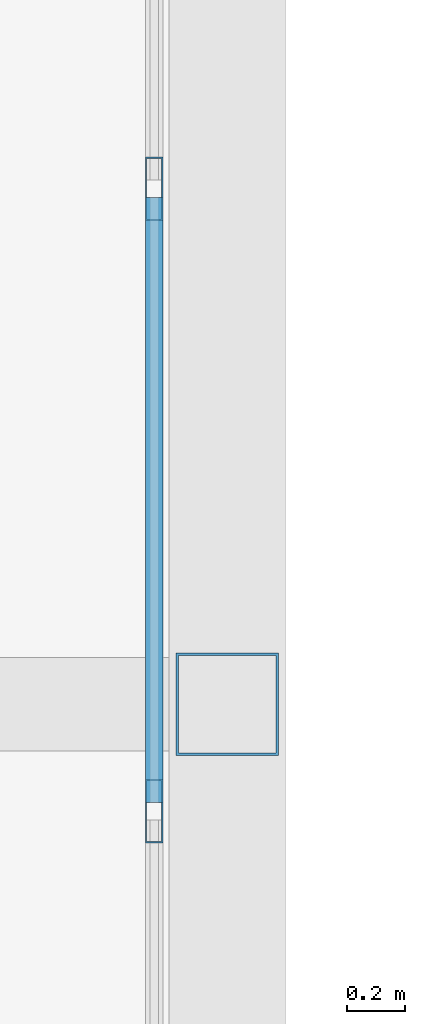
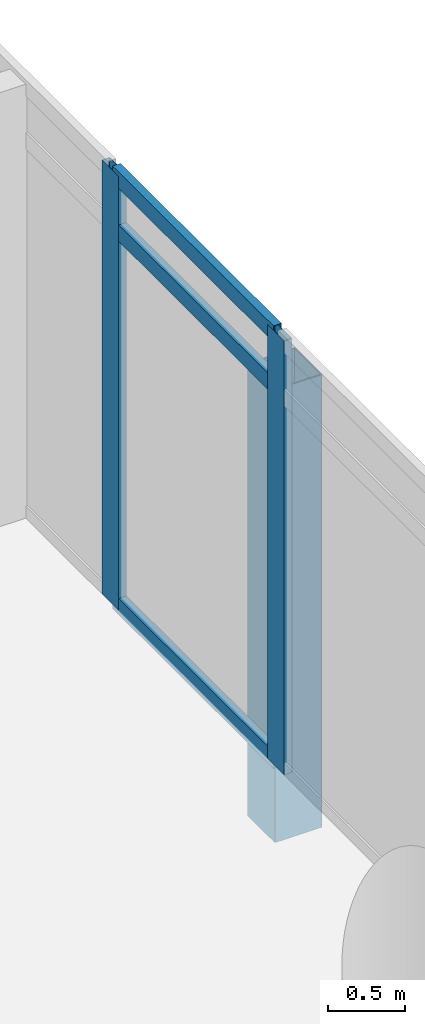
# One storey, part 21 of 34: 6 members, 1 element without a shape of its own.
"""IFC4 building model written with IfcOpenShell, lengths in metres."""

from ifc_helpers import new_model, si_unit, direction, frame, origin, origin_2d, place, context, subcontext, project, spatial, hollow_rectangle, extrude, material, material_profile, profile_set, type_object, element, aggregate, save


model = new_model("IFC4")

# Units and contexts
model_context = context("Model", 3, precision=1e-05, world=origin(), true_north=direction((0.0, 1.0)))
body_context = subcontext(model_context, "Body", "Model", "MODEL_VIEW")
ifc_project = project(units=[si_unit("LENGTHUNIT", "METRE"), si_unit("AREAUNIT", "SQUARE_METRE"), si_unit("VOLUMEUNIT", "CUBIC_METRE"), si_unit("PLANEANGLEUNIT", "RADIAN"), si_unit("MASSUNIT", "GRAM", prefix="KILO")], contexts=[model_context])

# Site, building, storey
site_placement = place(None, origin())
site = spatial("IfcSite", under=ifc_project, at=site_placement, CompositionType="ELEMENT")
building_placement = place(site_placement, origin())
building = spatial("IfcBuilding", under=site, at=building_placement, Name="Ostrander Bayou Hotel Tower", CompositionType="ELEMENT")
storey_placement = place(building_placement, frame((0.0, 0.0, 222.0)))
storey = spatial("IfcBuildingStorey", under=building, at=storey_placement, Name="L55", CompositionType="ELEMENT", Elevation=222.0)

# Curtain wall, members
ifc_material_1 = material(Name="Aluminium and clear glass", Category="aluminium")
curtain_wall_type = type_object("IfcCurtainWallType", Name="CW-BAR glazed wall", PredefinedType="NOTDEFINED", material=ifc_material_1)
curtain_wall_placement = place(storey_placement, origin())
curtain_wall = element("IfcCurtainWall", 1, at=curtain_wall_placement, inside=storey, type_object=curtain_wall_type, Name="CW-BAR L55:SB5N:W", PredefinedType="NOTDEFINED")
ifc_material_2 = material(Name="Aluminium", Category="aluminium")
ifc_material_profile_1 = material_profile(ifc_material_2, hollow_rectangle(XDim=0.06005859375, YDim=0.219970703125, WallThickness=0.00390625, at=origin_2d()))
ifc_profile_set_1 = profile_set([ifc_material_profile_1], Name="Aluminium")
member_type_1 = type_object("IfcMemberType", Name="CW-BR mullion 60 x 220 mm", PredefinedType="MULLION", material=ifc_profile_set_1)
member_1_placement = place(storey_placement, frame((10.51220703125, 20.24365234375, 0.0), z_axis=(0.0, 0.0, 1.0), x_axis=(-1.0, 0.0, 0.0)))
member_1 = element("IfcMember", 2, at=member_1_placement, type_object=member_type_1, Name="CW-BAR mullion 6", PredefinedType="MULLION", context=body_context, shape_type="SweptSolid", body=[
    extrude(hollow_rectangle(XDim=0.06005859375, YDim=0.219970703125, WallThickness=0.00390625, at=origin_2d()), origin(), (0.0, 0.0, 1.0), 3.449951171875),
])
member_2_placement = place(storey_placement, frame((10.51220703125, 22.3994140625, 0.0), z_axis=(0.0, 0.0, 1.0), x_axis=(-1.0, 0.0, 0.0)))
member_2 = element("IfcMember", 3, at=member_2_placement, type_object=member_type_1, Name="CW-BAR mullion 7", PredefinedType="MULLION", context=body_context, shape_type="SweptSolid", body=[
    extrude(hollow_rectangle(XDim=0.06005859375, YDim=0.219970703125, WallThickness=0.00390625, at=origin_2d()), origin(), (0.0, 0.0, 1.0), 3.449951171875),
])
ifc_material_3 = material(Name="Aluminium", Category="aluminium")
ifc_material_profile_2 = material_profile(ifc_material_3, hollow_rectangle(XDim=0.06005859375, YDim=0.1298828125, WallThickness=0.00390625, at=origin_2d()))
ifc_profile_set_2 = profile_set([ifc_material_profile_2], Name="Aluminium")
member_type_2 = type_object("IfcMemberType", Name="CW-BR transom 60 x 130 mm", PredefinedType="USERDEFINED", material=ifc_profile_set_2)
member_3_placement = place(storey_placement, frame((10.51220703125, 20.273681640625, 0.030029296875), z_axis=(0.0, 1.0, 0.0), x_axis=(-1.0, 0.0, 0.0)))
member_3 = element("IfcMember", 4, at=member_3_placement, type_object=member_type_2, Name="CW-BAR transom 6.1", ObjectType="TRANSOM", PredefinedType="USERDEFINED", context=body_context, shape_type="SweptSolid", body=[
    extrude(hollow_rectangle(XDim=0.06005859375, YDim=0.1298828125, WallThickness=0.00390625, at=origin_2d()), origin(), (0.0, 0.0, 1.0), 2.095703125),
])
member_4_placement = place(storey_placement, frame((10.51220703125, 20.273681640625, 3.0), z_axis=(0.0, 1.0, 0.0), x_axis=(-1.0, 0.0, 0.0)))
member_4 = element("IfcMember", 5, at=member_4_placement, type_object=member_type_2, Name="CW-BAR transom 6.2", ObjectType="TRANSOM", PredefinedType="USERDEFINED", context=body_context, shape_type="SweptSolid", body=[
    extrude(hollow_rectangle(XDim=0.06005859375, YDim=0.1298828125, WallThickness=0.00390625, at=origin_2d()), origin(), (0.0, 0.0, 1.0), 2.095703125),
])
member_5_placement = place(storey_placement, frame((10.51220703125, 20.273681640625, 3.419921875), z_axis=(0.0, 1.0, 0.0), x_axis=(-1.0, 0.0, 0.0)))
member_5 = element("IfcMember", 6, at=member_5_placement, type_object=member_type_2, Name="CW-BAR transom 6.3", ObjectType="TRANSOM", PredefinedType="USERDEFINED", context=body_context, shape_type="SweptSolid", body=[
    extrude(hollow_rectangle(XDim=0.06005859375, YDim=0.1298828125, WallThickness=0.00390625, at=origin_2d()), origin(), (0.0, 0.0, 1.0), 2.095703125),
])
aggregate(curtain_wall, [member_1, member_2, member_3, member_4, member_5])

# Member
ifc_material_4 = material(Name="Steel ASTM A500 Gr C", Category="steel")
ifc_material_profile_3 = material_profile(ifc_material_4, hollow_rectangle(XDim=0.355712890625, YDim=0.355712890625, WallThickness=0.0087890625, at=origin_2d()))
ifc_profile_set_3 = profile_set([ifc_material_profile_3], Name="Steel ASTM A500 Gr C")
member_type_3 = type_object("IfcMemberType", Name="TH3 bar hanger HSS14x14x3/8", PredefinedType="POST", material=ifc_profile_set_3)
member_6_placement = place(storey_placement, frame((10.764892578125, 20.6142578125, -0.760986328125), z_axis=(0.0, 0.0, 1.0), x_axis=(1.0, 0.0, 0.0)))
element("IfcMember", 7, at=member_6_placement, inside=storey, type_object=member_type_3, Name="TH3 SB5WB H3-1", PredefinedType="POST", context=body_context, shape_type="SweptSolid", body=[
    extrude(hollow_rectangle(XDim=0.355712890625, YDim=0.355712890625, WallThickness=0.0087890625, at=origin_2d()), origin(), (0.0, 0.0, 1.0), 3.599853515625),
])

save(model, "model.ifc")
